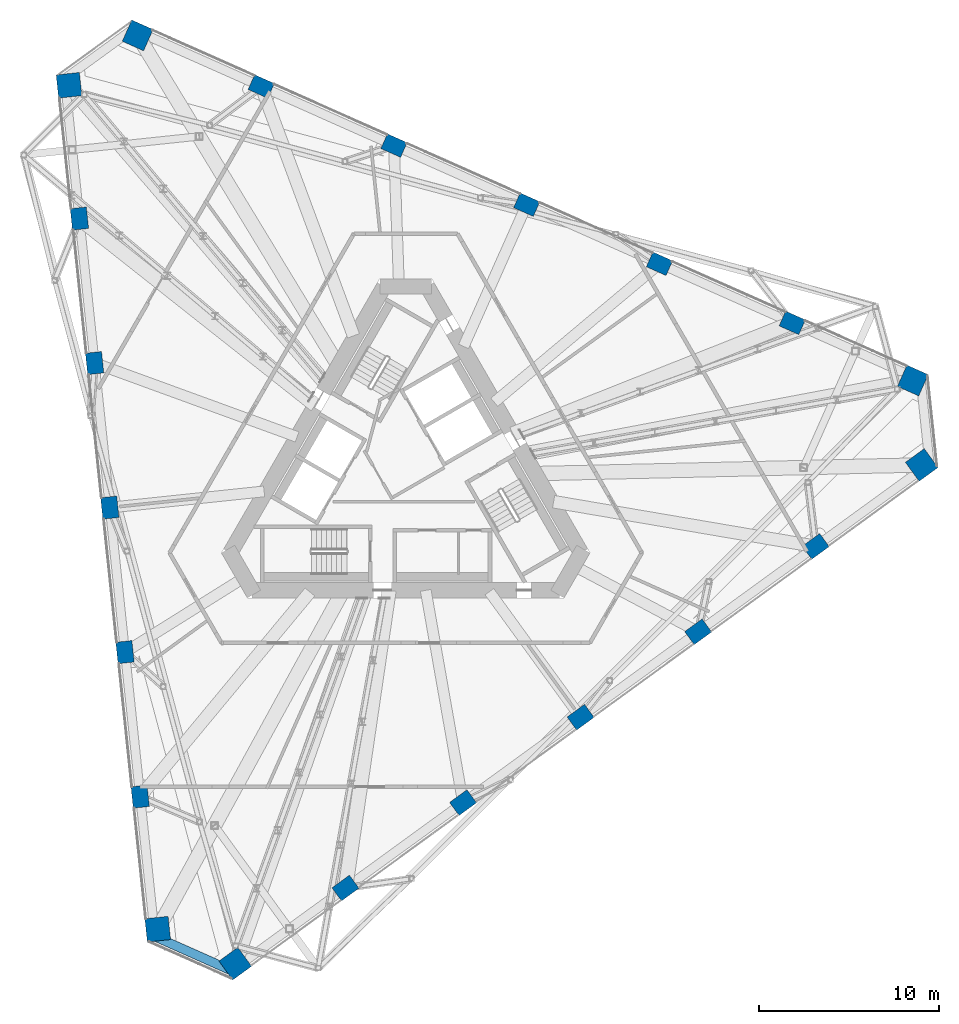
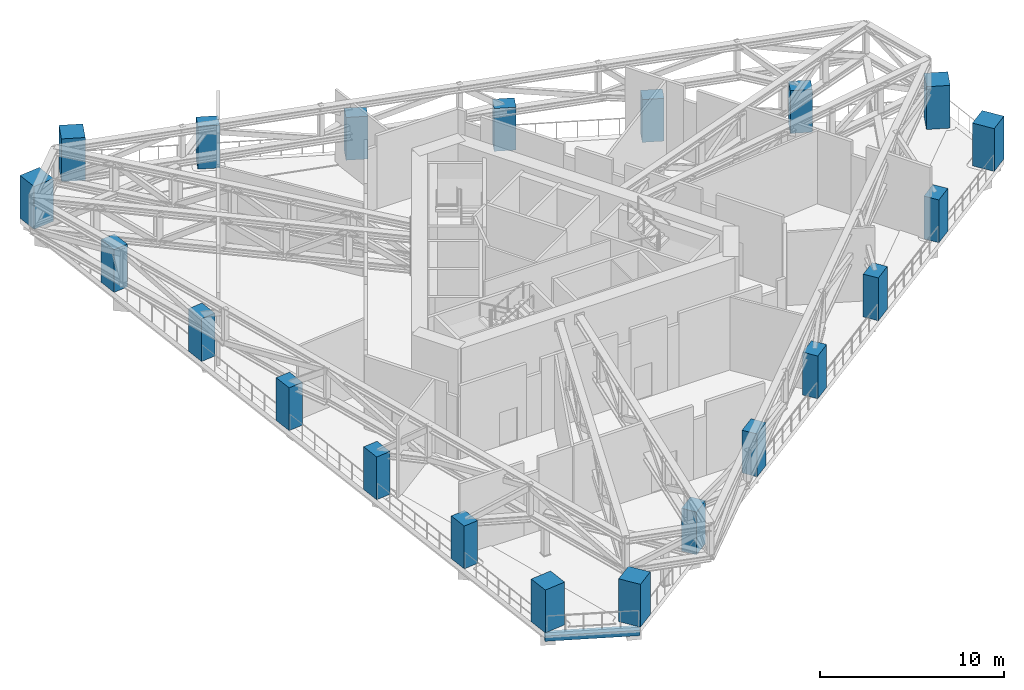
# One storey, part 1 of 26: 21 columns, 1 beam.
"""IFC4 building model written with IfcOpenShell, lengths in metres."""

from ifc_helpers import new_model, si_unit, direction, frame, origin, origin_2d, place, context, subcontext, project, spatial, rectangle, extrude, material, material_profile, profile_set, type_object, element, save


model = new_model("IFC4")

# Units and contexts
model_context = context("Model", 3, precision=1e-05, world=origin(), true_north=direction((0.0, 1.0)))
body_context = subcontext(model_context, "Body", "Model", "MODEL_VIEW")
ifc_project = project(units=[si_unit("LENGTHUNIT", "METRE"), si_unit("AREAUNIT", "SQUARE_METRE"), si_unit("VOLUMEUNIT", "CUBIC_METRE"), si_unit("PLANEANGLEUNIT", "RADIAN"), si_unit("MASSUNIT", "GRAM", prefix="KILO")], contexts=[model_context])

# Site, building, storey
site_placement = place(None, origin())
site = spatial("IfcSite", under=ifc_project, at=site_placement, CompositionType="ELEMENT")
building_placement = place(site_placement, origin())
building = spatial("IfcBuilding", under=site, at=building_placement, Name="Tramontana Tower", CompositionType="ELEMENT")
storey_placement = place(building_placement, frame((0.0, 0.0, 194.800048828125)))
storey = spatial("IfcBuildingStorey", under=building, at=storey_placement, Name="L45", CompositionType="ELEMENT", Elevation=194.800048828125)

# Columns
ifc_material_1 = material(Name="Concrete 55 MPa", Category="concrete")
ifc_material_profile_1 = material_profile(ifc_material_1, rectangle(XDim=1.300048828125, YDim=1.300048828125, at=origin_2d()), Name="Mega column 1300X1300 55 MPa")
ifc_profile_set_1 = profile_set([ifc_material_profile_1], Name="Concrete 55 MPa")
column_type_1 = type_object("IfcColumnType", Name="Mega column 1300X1300 55 MPa", PredefinedType="COLUMN", material=ifc_profile_set_1)
for number, where, z_axis, x_axis, name in (
    (1, (-18.72705078125, 21.760498046875, 0.0), (0.0, 0.0, 1.0), (0.104528463268, -0.994521895368, 0.0), "Mega column C4K1 L45"),
    (2, (-13.793701171875, -25.178466796875, 0.0), (0.0, 0.0, 1.0), (0.104528463268, -0.994521895368, 0.0), "Mega column C4K2 L45"),
    (3, (-9.4814453125, -27.098388671875, 0.0), (0.0, 0.0, 1.0), (0.809016994375, 0.587785252292, 0.0), "Mega column C4K3 L45"),
    (4, (28.7021484375, 0.6435546875, 0.0), (0.0, 0.0, 1.0), (0.809016994375, 0.587785252292, 0.0), "Mega column C4K4 L45"),
    (5, (28.208740234375, 5.337890625, 0.0), (0.0, 0.0, 1.0), (-0.913545457643, 0.406736643076, 0.0), "Mega column C4K5 L45"),
    (6, (-14.908447265625, 24.534912109375, 0.0), (0.0, 0.0, 1.0), (-0.913545457643, 0.406736643076, 0.0), "Mega column C4K6 L45"),
):
    element("IfcColumn", number, at=place(storey_placement, frame(where, z_axis=z_axis, x_axis=x_axis)), inside=storey, type_object=column_type_1, Name=name, PredefinedType="COLUMN", context=body_context, shape_type="SweptSolid", body=[
        extrude(rectangle(XDim=1.300048828125, YDim=1.300048828125, at=origin_2d()), origin(), (0.0, 0.0, 1.0), 2.8349609375),
    ])
ifc_material_2 = material(Name="Concrete 55 MPa", Category="concrete")
ifc_material_profile_2 = material_profile(ifc_material_2, rectangle(XDim=1.199951171875, YDim=0.89990234375, at=origin_2d()), Name="Pier column 1200X900 55 MPa")
ifc_profile_set_2 = profile_set([ifc_material_profile_2], Name="Concrete 55 MPa")
column_type_2 = type_object("IfcColumnType", Name="Pier column 1200X900 55 MPa", PredefinedType="COLUMN", material=ifc_profile_set_2)
for number, where, z_axis, x_axis, name in (
    (7, (-18.149169921875, 14.347412109375, 0.0), (0.0, 0.0, 1.0), (0.104528463268, -0.994521895368, 0.0), "Pier column C4F01 L45"),
    (8, (-17.30419921875, 6.30859375, 0.0), (0.0, 0.0, 1.0), (0.104528463268, -0.994521895368, 0.0), "Pier column C4F02 L45"),
    (9, (-16.459228515625, -1.72998046875, 0.0), (0.0, 0.0, 1.0), (0.104528463268, -0.994521895368, 0.0), "Pier column C4F03 L45"),
    (10, (-15.614501953125, -9.7685546875, 0.0), (0.0, 0.0, 1.0), (0.104528463268, -0.994521895368, 0.0), "Pier column C4F04 L45"),
    (11, (-14.76953125, -17.80712890625, 0.0), (0.0, 0.0, 1.0), (0.104528463268, -0.994521895368, 0.0), "Pier column C4F05 L45"),
    (12, (-3.3505859375, -22.891357421875, 0.0), (0.0, 0.0, 1.0), (0.809016994375, 0.587785252292, 0.0), "Pier column C4F06 L45"),
    (13, (3.188720703125, -18.14013671875, 0.0), (0.0, 0.0, 1.0), (0.809016994375, 0.587785252292, 0.0), "Pier column C4F07 L45"),
    (14, (9.727783203125, -13.38916015625, 0.0), (0.0, 0.0, 1.0), (0.809016994375, 0.587785252292, 0.0), "Pier column C4F08 L45"),
    (15, (16.26708984375, -8.63818359375, 0.0), (0.0, 0.0, 1.0), (0.809016994375, 0.587785252292, 0.0), "Pier column C4F09 L45"),
    (16, (22.80615234375, -3.88720703125, 0.0), (0.0, 0.0, 1.0), (0.809016994375, 0.587785252292, 0.0), "Pier column C4F10 L45"),
    (17, (21.499755859375, 8.5439453125, 0.0), (0.0, 0.0, 1.0), (-0.913545457643, 0.406736643076, 0.0), "Pier column C4F11 L45"),
    (18, (14.115478515625, 11.83154296875, 0.0), (0.0, 0.0, 1.0), (-0.913545457643, 0.406736643076, 0.0), "Pier column C4F12 L45"),
    (19, (6.7314453125, 15.119140625, 0.0), (0.0, 0.0, 1.0), (-0.913545457643, 0.406736643076, 0.0), "Pier column C4F13 L45"),
    (20, (-0.652587890625, 18.40673828125, 0.0), (0.0, 0.0, 1.0), (-0.913545457643, 0.406736643076, 0.0), "Pier column C4F14 L45"),
    (21, (-8.03662109375, 21.6943359375, 0.0), (0.0, 0.0, 1.0), (-0.913545457643, 0.406736643076, 0.0), "Pier column C4F15 L45"),
):
    element("IfcColumn", number, at=place(storey_placement, frame(where, z_axis=z_axis, x_axis=x_axis)), inside=storey, type_object=column_type_2, Name=name, PredefinedType="COLUMN", context=body_context, shape_type="SweptSolid", body=[
        extrude(rectangle(XDim=1.199951171875, YDim=0.89990234375, at=origin_2d()), origin(), (0.0, 0.0, 1.0), 2.8349609375),
    ])

# Beam
ifc_material_3 = material(Name="Concrete 40 MPa", Category="concrete")
ifc_material_profile_3 = material_profile(ifc_material_3, rectangle(XDim=0.5, YDim=0.35009765625, at=origin_2d()), Name="RC EDGE BEAM 500X350 40 MPa")
ifc_profile_set_3 = profile_set([ifc_material_profile_3], Name="Concrete 40 MPa")
beam_type = type_object("IfcBeamType", Name="RC EDGE BEAM 500X350 40 MPa", PredefinedType="SPANDREL", material=ifc_profile_set_3)
beam_placement = place(storey_placement, frame((-14.189208984375, -25.481689453125, -0.525146484375), z_axis=(0.91354592127, -0.40673560175, 0.0), x_axis=(0.40673560175, 0.91354592127, 0.0)))
element("IfcBeam", 22, at=beam_placement, inside=storey, type_object=beam_type, Name="Spandrel beam K1 L45", PredefinedType="SPANDREL", context=body_context, shape_type="SweptSolid", body=[
    extrude(rectangle(XDim=0.5, YDim=0.35009765625, at=origin_2d()), origin(), (0.0, 0.0, 1.0), 5.1962890625),
])

save(model, "model.ifc")
